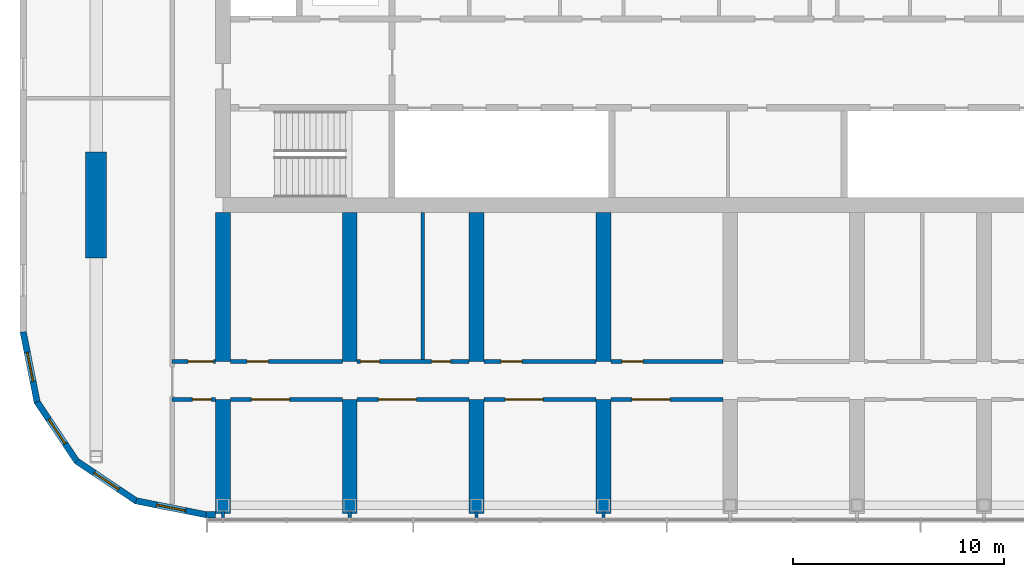
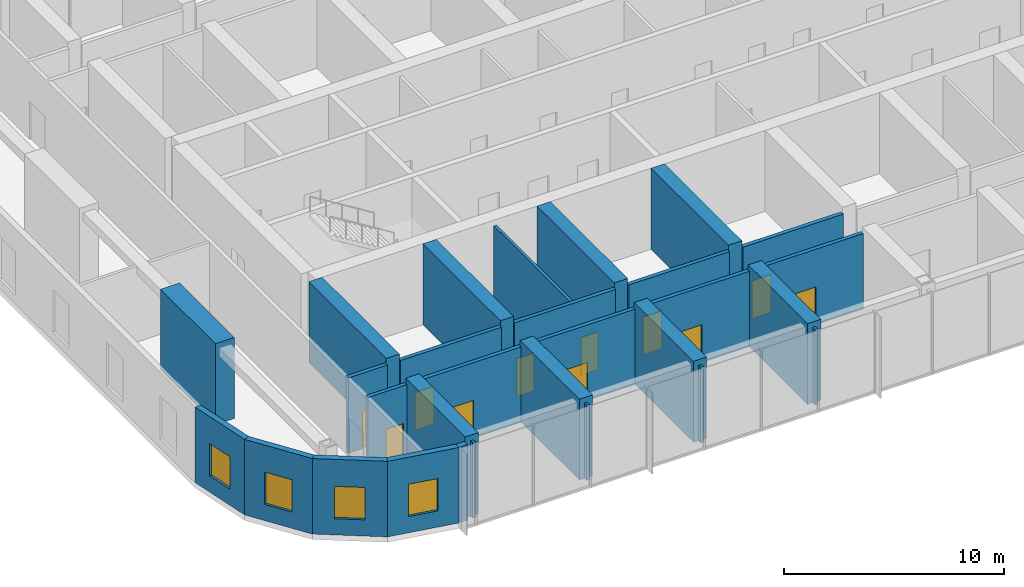
# One storey, part 10 of 21: 29 walls, 11 doors, 4 windows, 15 openings.
"""IFC4 building model written with IfcOpenShell, lengths in metres."""

from ifc_helpers import new_model, si_unit, direction, frame, frame_2d, origin, place, context, subcontext, project, spatial, polyline, rectangle, outline, extrude, material, layer, layer_set, type_object, element, fill, save


model = new_model("IFC4")

# Units and contexts
model_context = context("Model", 3, precision=1e-05, world=origin(), true_north=direction((0.0, 1.0)))
body_context = subcontext(model_context, "Body", "Model", "MODEL_VIEW")
ifc_project = project(units=[si_unit("LENGTHUNIT", "METRE"), si_unit("AREAUNIT", "SQUARE_METRE"), si_unit("VOLUMEUNIT", "CUBIC_METRE"), si_unit("PLANEANGLEUNIT", "RADIAN"), si_unit("MASSUNIT", "GRAM", prefix="KILO")], contexts=[model_context])

# Site, building, storey
site_placement = place(None, origin())
site = spatial("IfcSite", under=ifc_project, at=site_placement, CompositionType="ELEMENT")
building_placement = place(site_placement, origin())
building = spatial("IfcBuilding", under=site, at=building_placement, Name="Orbita Commons", CompositionType="ELEMENT")
storey_placement = place(building_placement, frame((0.0, 0.0, 257.800048828125)))
storey = spatial("IfcBuildingStorey", under=building, at=storey_placement, Name="L64", CompositionType="ELEMENT", Elevation=257.800048828125)

# Wall, opening, door
ifc_material_1 = material(Name="Concrete blockwork", Category="masonry")
ifc_layer_1 = layer(ifc_material_1, 0.199951171875)
ifc_layer_set_1 = layer_set([ifc_layer_1], Name="Concrete blockwork")
wall_type_1 = type_object("IfcWallType", Name="Corridor wall 200 blockwork", PredefinedType="SOLIDWALL", material=ifc_layer_set_1)
wall_1_placement = place(storey_placement, frame((15.60009765625, 16.60009765625, 0.0), z_axis=(0.0, 0.0, 1.0), x_axis=(1.0, 0.0, 0.0)))
wall_1 = element("IfcWall", 1, at=wall_1_placement, inside=storey, type_object=wall_type_1, Name="Corridor wall 200 blockwork L64", PredefinedType="SOLIDWALL", context=body_context, shape_type="SweptSolid", body=[
    extrude(rectangle(XDim=2.0498046875, YDim=0.199951171875, at=frame_2d((1.02490234375, 0.0))), origin(), (0.0, 0.0, 1.0), 4.199951171875),
])
opening_1_placement = place(wall_1_placement, frame((0.949951171875, 0.0, 0.0)))
opening_1 = element("IfcOpeningElement", 2, at=opening_1_placement, cuts=wall_1, Name="Opening D05", PredefinedType="OPENING", context=body_context, shape_type="SweptSolid", body=[
    extrude(rectangle(XDim=0.89990234375, YDim=2.10009765625, at=frame_2d((0.449951171875, 1.050048828125))), frame((0.0, 0.10986328125, 0.0), z_axis=(0.0, -1.0, 0.0), x_axis=(1.0, 0.0, 0.0)), (0.0, 0.0, 1.0), 0.219970703125),
])
ifc_material_2 = material(Name="Steel-faced fire door leaf", Category="steel")
door_type_1 = type_object("IfcDoorType", Name="Service door 20 min 900x2100", OperationType="SINGLE_SWING_LEFT", PredefinedType="DOOR", material=ifc_material_2)
door_1_placement = place(opening_1_placement, origin())
door_1 = element("IfcDoor", 3, at=door_1_placement, inside=storey, type_object=door_type_1, Name="Linen store L64-KWS door", OperationType="SINGLE_SWING_LEFT", OverallHeight=2.10009765625, OverallWidth=0.89990234375, PredefinedType="DOOR", context=body_context, shape_type="SweptSolid", body=[
    extrude(rectangle(XDim=0.89990234375, YDim=2.10009765625, at=frame_2d((0.449951171875, 1.050048828125))), frame((0.0, 0.02490234375, 0.0), z_axis=(0.0, -1.0, 0.0), x_axis=(1.0, 0.0, 0.0)), (0.0, 0.0, 1.0), 0.050048828125),
])
fill(opening_1, door_1)

wall_2_placement = place(storey_placement, frame((18.35009765625, 16.60009765625, 0.0), z_axis=(0.0, 0.0, 1.0), x_axis=(1.0, 0.0, 0.0)))
wall_2 = element("IfcWall", 4, at=wall_2_placement, inside=storey, type_object=wall_type_1, Name="Corridor wall 200 blockwork L64", PredefinedType="SOLIDWALL", context=body_context, shape_type="SweptSolid", body=[
    extrude(rectangle(XDim=5.2998046875, YDim=0.199951171875, at=frame_2d((2.64990234375, 0.0))), origin(), (0.0, 0.0, 1.0), 4.199951171875),
])
opening_2_placement = place(wall_2_placement, frame((1.0, 0.0, 0.0)))
opening_2 = element("IfcOpeningElement", 5, at=opening_2_placement, cuts=wall_2, Name="Opening D07", PredefinedType="OPENING", context=body_context, shape_type="SweptSolid", body=[
    extrude(rectangle(XDim=1.800048828125, YDim=2.10009765625, at=frame_2d((0.89990234375, 1.050048828125))), frame((0.0, 0.10986328125, 0.0), z_axis=(0.0, -1.0, 0.0), x_axis=(1.0, 0.0, 0.0)), (0.0, 0.0, 1.0), 0.219970703125),
])
ifc_material_3 = material(Name="Steel-faced fire door leaf", Category="steel")
door_type_2 = type_object("IfcDoorType", Name="Double corridor door 20 min 1800x2100", OperationType="DOUBLE_DOOR_SINGLE_SWING", PredefinedType="DOOR", material=ifc_material_3)
door_2_placement = place(opening_2_placement, origin())
door_2 = element("IfcDoor", 6, at=door_2_placement, inside=storey, type_object=door_type_2, Name="Group study room L64-SF1 doors", OperationType="DOUBLE_DOOR_SINGLE_SWING", OverallHeight=2.10009765625, OverallWidth=1.800048828125, PredefinedType="DOOR", context=body_context, shape_type="SweptSolid", body=[
    extrude(rectangle(XDim=1.800048828125, YDim=2.10009765625, at=frame_2d((0.89990234375, 1.050048828125))), frame((0.0, 0.02490234375, 0.0), z_axis=(0.0, -1.0, 0.0), x_axis=(1.0, 0.0, 0.0)), (0.0, 0.0, 1.0), 0.050048828125),
])
fill(opening_2, door_2)

wall_3_placement = place(storey_placement, frame((24.35009765625, 16.60009765625, 0.0), z_axis=(0.0, 0.0, 1.0), x_axis=(1.0, 0.0, 0.0)))
wall_3 = element("IfcWall", 7, at=wall_3_placement, inside=storey, type_object=wall_type_1, Name="Corridor wall 200 blockwork L64", PredefinedType="SOLIDWALL", context=body_context, shape_type="SweptSolid", body=[
    extrude(rectangle(XDim=5.2998046875, YDim=0.199951171875, at=frame_2d((2.64990234375, 0.0))), origin(), (0.0, 0.0, 1.0), 4.199951171875),
])
opening_3_placement = place(wall_3_placement, frame((1.0, 0.0, 0.0)))
opening_3 = element("IfcOpeningElement", 8, at=opening_3_placement, cuts=wall_3, Name="Opening D07", PredefinedType="OPENING", context=body_context, shape_type="SweptSolid", body=[
    extrude(rectangle(XDim=1.800048828125, YDim=2.10009765625, at=frame_2d((0.89990234375, 1.050048828125))), frame((0.0, 0.10986328125, 0.0), z_axis=(0.0, -1.0, 0.0), x_axis=(1.0, 0.0, 0.0)), (0.0, 0.0, 1.0), 0.219970703125),
])
door_3_placement = place(opening_3_placement, origin())
door_3 = element("IfcDoor", 9, at=door_3_placement, inside=storey, type_object=door_type_2, Name="Reading room L64-SF2 doors", OperationType="DOUBLE_DOOR_SINGLE_SWING", OverallHeight=2.10009765625, OverallWidth=1.800048828125, PredefinedType="DOOR", context=body_context, shape_type="SweptSolid", body=[
    extrude(rectangle(XDim=1.800048828125, YDim=2.10009765625, at=frame_2d((0.89990234375, 1.050048828125))), frame((0.0, 0.02490234375, 0.0), z_axis=(0.0, -1.0, 0.0), x_axis=(1.0, 0.0, 0.0)), (0.0, 0.0, 1.0), 0.050048828125),
])
fill(opening_3, door_3)

wall_4_placement = place(storey_placement, frame((30.35009765625, 16.60009765625, 0.0), z_axis=(0.0, 0.0, 1.0), x_axis=(1.0, 0.0, 0.0)))
wall_4 = element("IfcWall", 10, at=wall_4_placement, inside=storey, type_object=wall_type_1, Name="Corridor wall 200 blockwork L64", PredefinedType="SOLIDWALL", context=body_context, shape_type="SweptSolid", body=[
    extrude(rectangle(XDim=5.2998046875, YDim=0.199951171875, at=frame_2d((2.64990234375, 0.0))), origin(), (0.0, 0.0, 1.0), 4.199951171875),
])
opening_4_placement = place(wall_4_placement, frame((1.0, 0.0, 0.0)))
opening_4 = element("IfcOpeningElement", 11, at=opening_4_placement, cuts=wall_4, Name="Opening D07", PredefinedType="OPENING", context=body_context, shape_type="SweptSolid", body=[
    extrude(rectangle(XDim=1.800048828125, YDim=2.10009765625, at=frame_2d((0.89990234375, 1.050048828125))), frame((0.0, 0.10986328125, 0.0), z_axis=(0.0, -1.0, 0.0), x_axis=(1.0, 0.0, 0.0)), (0.0, 0.0, 1.0), 0.219970703125),
])
door_4_placement = place(opening_4_placement, origin())
door_4 = element("IfcDoor", 12, at=door_4_placement, inside=storey, type_object=door_type_2, Name="Seminar room L64-SF3 doors", OperationType="DOUBLE_DOOR_SINGLE_SWING", OverallHeight=2.10009765625, OverallWidth=1.800048828125, PredefinedType="DOOR", context=body_context, shape_type="SweptSolid", body=[
    extrude(rectangle(XDim=1.800048828125, YDim=2.10009765625, at=frame_2d((0.89990234375, 1.050048828125))), frame((0.0, 0.02490234375, 0.0), z_axis=(0.0, -1.0, 0.0), x_axis=(1.0, 0.0, 0.0)), (0.0, 0.0, 1.0), 0.050048828125),
])
fill(opening_4, door_4)

wall_5_placement = place(storey_placement, frame((36.35009765625, 16.60009765625, 0.0), z_axis=(0.0, 0.0, 1.0), x_axis=(1.0, 0.0, 0.0)))
wall_5 = element("IfcWall", 13, at=wall_5_placement, inside=storey, type_object=wall_type_1, Name="Corridor wall 200 blockwork L64", PredefinedType="SOLIDWALL", context=body_context, shape_type="SweptSolid", body=[
    extrude(rectangle(XDim=5.2998046875, YDim=0.199951171875, at=frame_2d((2.64990234375, 0.0))), origin(), (0.0, 0.0, 1.0), 4.199951171875),
])
opening_5_placement = place(wall_5_placement, frame((1.0, 0.0, 0.0)))
opening_5 = element("IfcOpeningElement", 14, at=opening_5_placement, cuts=wall_5, Name="Opening D07", PredefinedType="OPENING", context=body_context, shape_type="SweptSolid", body=[
    extrude(rectangle(XDim=1.800048828125, YDim=2.10009765625, at=frame_2d((0.89990234375, 1.050048828125))), frame((0.0, 0.10986328125, 0.0), z_axis=(0.0, -1.0, 0.0), x_axis=(1.0, 0.0, 0.0)), (0.0, 0.0, 1.0), 0.219970703125),
])
door_5_placement = place(opening_5_placement, origin())
door_5 = element("IfcDoor", 15, at=door_5_placement, inside=storey, type_object=door_type_2, Name="Library L64-SF4 doors", OperationType="DOUBLE_DOOR_SINGLE_SWING", OverallHeight=2.10009765625, OverallWidth=1.800048828125, PredefinedType="DOOR", context=body_context, shape_type="SweptSolid", body=[
    extrude(rectangle(XDim=1.800048828125, YDim=2.10009765625, at=frame_2d((0.89990234375, 1.050048828125))), frame((0.0, 0.02490234375, 0.0), z_axis=(0.0, -1.0, 0.0), x_axis=(1.0, 0.0, 0.0)), (0.0, 0.0, 1.0), 0.050048828125),
])
fill(opening_5, door_5)

ifc_material_4 = material(Name="Hollow concrete block 200", Category="concrete")
ifc_layer_2 = layer(ifc_material_4, 0.199951171875)
ifc_layer_set_2 = layer_set([ifc_layer_2], Name="Hollow concrete block 200")
wall_type_2 = type_object("IfcWallType", Name="Corridor wall 200 hollow concrete block", PredefinedType="SOLIDWALL", material=ifc_layer_set_2)
wall_6_placement = place(storey_placement, frame((15.60009765625, 18.39990234375, 0.0), z_axis=(0.0, 0.0, 1.0), x_axis=(1.0, 0.0, 0.0)))
wall_6 = element("IfcWall", 16, at=wall_6_placement, inside=storey, type_object=wall_type_2, Name="Corridor wall 200 hollow concrete block L64", PredefinedType="SOLIDWALL", context=body_context, shape_type="SweptSolid", body=[
    extrude(rectangle(XDim=2.0498046875, YDim=0.199951171875, at=frame_2d((1.02490234375, 0.0))), origin(), (0.0, 0.0, 1.0), 4.199951171875),
])
opening_6_placement = place(wall_6_placement, frame((0.75, 0.0, 0.0)))
opening_6 = element("IfcOpeningElement", 17, at=opening_6_placement, cuts=wall_6, Name="Opening D12", PredefinedType="OPENING", context=body_context, shape_type="SweptSolid", body=[
    extrude(rectangle(XDim=1.199951171875, YDim=2.10009765625, at=frame_2d((0.60009765625, 1.050048828125))), frame((0.0, 0.10986328125, 0.0), z_axis=(0.0, -1.0, 0.0), x_axis=(1.0, 0.0, 0.0)), (0.0, 0.0, 1.0), 0.219970703125),
])
ifc_material_5 = material(Name="Steel-faced fire door leaf", Category="steel")
door_type_3 = type_object("IfcDoorType", Name="Double corridor door 20 min 1200x2100", OperationType="DOUBLE_DOOR_SINGLE_SWING", PredefinedType="DOOR", material=ifc_material_5)
door_6_placement = place(opening_6_placement, origin())
door_6 = element("IfcDoor", 18, at=door_6_placement, inside=storey, type_object=door_type_3, Name="Cross corridor doors", OperationType="DOUBLE_DOOR_SINGLE_SWING", OverallHeight=2.10009765625, OverallWidth=1.199951171875, PredefinedType="DOOR", context=body_context, shape_type="SweptSolid", body=[
    extrude(rectangle(XDim=1.199951171875, YDim=2.10009765625, at=frame_2d((0.60009765625, 1.050048828125))), frame((0.0, 0.02490234375, 0.0), z_axis=(0.0, -1.0, 0.0), x_axis=(1.0, 0.0, 0.0)), (0.0, 0.0, 1.0), 0.050048828125),
])
fill(opening_6, door_6)

wall_7_placement = place(storey_placement, frame((18.35009765625, 18.39990234375, 0.0), z_axis=(0.0, 0.0, 1.0), x_axis=(1.0, 0.0, 0.0)))
wall_7 = element("IfcWall", 19, at=wall_7_placement, inside=storey, type_object=wall_type_2, Name="Corridor wall 200 hollow concrete block L64", PredefinedType="SOLIDWALL", context=body_context, shape_type="SweptSolid", body=[
    extrude(rectangle(XDim=5.2998046875, YDim=0.199951171875, at=frame_2d((2.64990234375, 0.0))), origin(), (0.0, 0.0, 1.0), 4.199951171875),
])
opening_7_placement = place(wall_7_placement, frame((0.800048828125, 0.0, 0.0)))
opening_7 = element("IfcOpeningElement", 20, at=opening_7_placement, cuts=wall_7, Name="Opening D06", PredefinedType="OPENING", context=body_context, shape_type="SweptSolid", body=[
    extrude(rectangle(XDim=1.0, YDim=2.10009765625, at=frame_2d((0.5, 1.050048828125))), frame((0.0, 0.10986328125, 0.0), z_axis=(0.0, -1.0, 0.0), x_axis=(1.0, 0.0, 0.0)), (0.0, 0.0, 1.0), 0.219970703125),
])
ifc_material_6 = material(Name="Steel-faced fire door leaf", Category="steel")
door_type_4 = type_object("IfcDoorType", Name="Corridor door 20 min 1000x2100", OperationType="SINGLE_SWING_LEFT", PredefinedType="DOOR", material=ifc_material_6)
door_7_placement = place(opening_7_placement, origin())
door_7 = element("IfcDoor", 21, at=door_7_placement, inside=storey, type_object=door_type_4, Name="Pantry L64-BDS18 door", OperationType="SINGLE_SWING_LEFT", OverallHeight=2.10009765625, OverallWidth=1.0, PredefinedType="DOOR", context=body_context, shape_type="SweptSolid", body=[
    extrude(rectangle(XDim=1.0, YDim=2.10009765625, at=frame_2d((0.5, 1.050048828125))), frame((0.0, 0.02490234375, 0.0), z_axis=(0.0, -1.0, 0.0), x_axis=(1.0, 0.0, 0.0)), (0.0, 0.0, 1.0), 0.050048828125),
])
fill(opening_7, door_7)

# Wall, openings, doors
wall_8_placement = place(storey_placement, frame((24.35009765625, 18.39990234375, 0.0), z_axis=(0.0, 0.0, 1.0), x_axis=(1.0, 0.0, 0.0)))
wall_8 = element("IfcWall", 22, at=wall_8_placement, inside=storey, type_object=wall_type_2, Name="Corridor wall 200 hollow concrete block L64", PredefinedType="SOLIDWALL", context=body_context, shape_type="SweptSolid", body=[
    extrude(rectangle(XDim=5.2998046875, YDim=0.199951171875, at=frame_2d((2.64990234375, 0.0))), origin(), (0.0, 0.0, 1.0), 4.199951171875),
])
opening_8_placement = place(wall_8_placement, frame((0.14990234375, 0.0, 0.0)))
opening_8 = element("IfcOpeningElement", 23, at=opening_8_placement, cuts=wall_8, Name="Opening D11", PredefinedType="OPENING", context=body_context, shape_type="SweptSolid", body=[
    extrude(rectangle(XDim=0.89990234375, YDim=2.10009765625, at=frame_2d((0.449951171875, 1.050048828125))), frame((0.0, 0.10986328125, 0.0), z_axis=(0.0, -1.0, 0.0), x_axis=(1.0, 0.0, 0.0)), (0.0, 0.0, 1.0), 0.219970703125),
])
opening_9_placement = place(wall_8_placement, frame((3.52490234375, 0.0, 0.0)))
opening_9 = element("IfcOpeningElement", 24, at=opening_9_placement, cuts=wall_8, Name="Opening D11", PredefinedType="OPENING", context=body_context, shape_type="SweptSolid", body=[
    extrude(rectangle(XDim=0.89990234375, YDim=2.10009765625, at=frame_2d((0.449951171875, 1.050048828125))), frame((0.0, 0.10986328125, 0.0), z_axis=(0.0, -1.0, 0.0), x_axis=(1.0, 0.0, 0.0)), (0.0, 0.0, 1.0), 0.219970703125),
])
ifc_material_7 = material(Name="Steel-faced fire door leaf", Category="steel")
door_type_5 = type_object("IfcDoorType", Name="Corridor door 20 min 900x2100", OperationType="SINGLE_SWING_LEFT", PredefinedType="DOOR", material=ifc_material_7)
door_8_placement = place(opening_8_placement, origin())
door_8 = element("IfcDoor", 25, at=door_8_placement, inside=storey, type_object=door_type_5, Name="Media room L64-BDS24 door", OperationType="SINGLE_SWING_LEFT", OverallHeight=2.10009765625, OverallWidth=0.89990234375, PredefinedType="DOOR", context=body_context, shape_type="SweptSolid", body=[
    extrude(rectangle(XDim=0.89990234375, YDim=2.10009765625, at=frame_2d((0.449951171875, 1.050048828125))), frame((0.0, 0.02490234375, 0.0), z_axis=(0.0, -1.0, 0.0), x_axis=(1.0, 0.0, 0.0)), (0.0, 0.0, 1.0), 0.050048828125),
])
fill(opening_8, door_8)
door_9_placement = place(opening_9_placement, origin())
door_9 = element("IfcDoor", 26, at=door_9_placement, inside=storey, type_object=door_type_5, Name="Accessible WC and shower room L64-BDS24n door", OperationType="SINGLE_SWING_LEFT", OverallHeight=2.10009765625, OverallWidth=0.89990234375, PredefinedType="DOOR", context=body_context, shape_type="SweptSolid", body=[
    extrude(rectangle(XDim=0.89990234375, YDim=2.10009765625, at=frame_2d((0.449951171875, 1.050048828125))), frame((0.0, 0.02490234375, 0.0), z_axis=(0.0, -1.0, 0.0), x_axis=(1.0, 0.0, 0.0)), (0.0, 0.0, 1.0), 0.050048828125),
])
fill(opening_9, door_9)

# Wall, opening, door
wall_9_placement = place(storey_placement, frame((30.35009765625, 18.39990234375, 0.0), z_axis=(0.0, 0.0, 1.0), x_axis=(1.0, 0.0, 0.0)))
wall_9 = element("IfcWall", 27, at=wall_9_placement, inside=storey, type_object=wall_type_2, Name="Corridor wall 200 hollow concrete block L64", PredefinedType="SOLIDWALL", context=body_context, shape_type="SweptSolid", body=[
    extrude(rectangle(XDim=5.2998046875, YDim=0.199951171875, at=frame_2d((2.64990234375, 0.0))), origin(), (0.0, 0.0, 1.0), 4.199951171875),
])
opening_10_placement = place(wall_9_placement, frame((0.800048828125, 0.0, 0.0)))
opening_10 = element("IfcOpeningElement", 28, at=opening_10_placement, cuts=wall_9, Name="Opening D06", PredefinedType="OPENING", context=body_context, shape_type="SweptSolid", body=[
    extrude(rectangle(XDim=1.0, YDim=2.10009765625, at=frame_2d((0.5, 1.050048828125))), frame((0.0, 0.10986328125, 0.0), z_axis=(0.0, -1.0, 0.0), x_axis=(1.0, 0.0, 0.0)), (0.0, 0.0, 1.0), 0.219970703125),
])
door_10_placement = place(opening_10_placement, origin())
door_10 = element("IfcDoor", 29, at=door_10_placement, inside=storey, type_object=door_type_4, Name="Print and copy room L64-BDS30 door", OperationType="SINGLE_SWING_LEFT", OverallHeight=2.10009765625, OverallWidth=1.0, PredefinedType="DOOR", context=body_context, shape_type="SweptSolid", body=[
    extrude(rectangle(XDim=1.0, YDim=2.10009765625, at=frame_2d((0.5, 1.050048828125))), frame((0.0, 0.02490234375, 0.0), z_axis=(0.0, -1.0, 0.0), x_axis=(1.0, 0.0, 0.0)), (0.0, 0.0, 1.0), 0.050048828125),
])
fill(opening_10, door_10)

wall_10_placement = place(storey_placement, frame((36.35009765625, 18.39990234375, 0.0), z_axis=(0.0, 0.0, 1.0), x_axis=(1.0, 0.0, 0.0)))
wall_10 = element("IfcWall", 30, at=wall_10_placement, inside=storey, type_object=wall_type_2, Name="Corridor wall 200 hollow concrete block L64", PredefinedType="SOLIDWALL", context=body_context, shape_type="SweptSolid", body=[
    extrude(rectangle(XDim=5.2998046875, YDim=0.199951171875, at=frame_2d((2.64990234375, 0.0))), origin(), (0.0, 0.0, 1.0), 4.199951171875),
])
opening_11_placement = place(wall_10_placement, frame((0.52490234375, 0.0, 0.0)))
opening_11 = element("IfcOpeningElement", 31, at=opening_11_placement, cuts=wall_10, Name="Opening D06", PredefinedType="OPENING", context=body_context, shape_type="SweptSolid", body=[
    extrude(rectangle(XDim=1.0, YDim=2.10009765625, at=frame_2d((0.5, 1.050048828125))), frame((0.0, 0.10986328125, 0.0), z_axis=(0.0, -1.0, 0.0), x_axis=(1.0, 0.0, 0.0)), (0.0, 0.0, 1.0), 0.219970703125),
])
door_11_placement = place(opening_11_placement, origin())
door_11 = element("IfcDoor", 32, at=door_11_placement, inside=storey, type_object=door_type_4, Name="Ventilation plant room L64-BDS36 door", OperationType="SINGLE_SWING_LEFT", OverallHeight=2.10009765625, OverallWidth=1.0, PredefinedType="DOOR", context=body_context, shape_type="SweptSolid", body=[
    extrude(rectangle(XDim=1.0, YDim=2.10009765625, at=frame_2d((0.5, 1.050048828125))), frame((0.0, 0.02490234375, 0.0), z_axis=(0.0, -1.0, 0.0), x_axis=(1.0, 0.0, 0.0)), (0.0, 0.0, 1.0), 0.050048828125),
])
fill(opening_11, door_11)

# Walls
ifc_material_8 = material(Name="Concrete C50/60", Category="concrete")
ifc_layer_3 = layer(ifc_material_8, 0.699951171875)
ifc_layer_set_3 = layer_set([ifc_layer_3], Name="Concrete C50/60")
wall_type_3 = type_object("IfcWallType", Name="Cross wall 700 C50/60", PredefinedType="SHEAR", material=ifc_layer_set_3)
wall_11_placement = place(storey_placement, frame((18.0, 11.199951171875, 0.0), z_axis=(0.0, 0.0, 1.0), x_axis=(0.0, 1.0, 0.0)))
element("IfcWall", 33, at=wall_11_placement, inside=storey, type_object=wall_type_3, Name="Cross wall 4 south outer L64", PredefinedType="SHEAR", context=body_context, shape_type="SweptSolid", body=[
    extrude(rectangle(XDim=5.400146484375, YDim=0.699951171875, at=frame_2d((2.7001953125, 0.0))), origin(), (0.0, 0.0, 1.0), 4.5),
])
wall_12_placement = place(storey_placement, frame((18.0, 18.39990234375, 0.0), z_axis=(0.0, 0.0, 1.0), x_axis=(0.0, 1.0, 0.0)))
element("IfcWall", 34, at=wall_12_placement, inside=storey, type_object=wall_type_3, Name="Cross wall 4 south inner L64", PredefinedType="SHEAR", context=body_context, shape_type="SweptSolid", body=[
    extrude(rectangle(XDim=7.050048828125, YDim=0.699951171875, at=frame_2d((3.52490234375, 0.0))), origin(), (0.0, 0.0, 1.0), 4.5),
])
wall_13_placement = place(storey_placement, frame((24.0, 11.199951171875, 0.0), z_axis=(0.0, 0.0, 1.0), x_axis=(0.0, 1.0, 0.0)))
element("IfcWall", 35, at=wall_13_placement, inside=storey, type_object=wall_type_3, Name="Cross wall 5 south outer L64", PredefinedType="SHEAR", context=body_context, shape_type="SweptSolid", body=[
    extrude(rectangle(XDim=5.400146484375, YDim=0.699951171875, at=frame_2d((2.7001953125, 0.0))), origin(), (0.0, 0.0, 1.0), 4.5),
])
wall_14_placement = place(storey_placement, frame((24.0, 18.39990234375, 0.0), z_axis=(0.0, 0.0, 1.0), x_axis=(0.0, 1.0, 0.0)))
element("IfcWall", 36, at=wall_14_placement, inside=storey, type_object=wall_type_3, Name="Cross wall 5 south inner L64", PredefinedType="SHEAR", context=body_context, shape_type="SweptSolid", body=[
    extrude(rectangle(XDim=7.050048828125, YDim=0.699951171875, at=frame_2d((3.52490234375, 0.0))), origin(), (0.0, 0.0, 1.0), 4.5),
])
wall_15_placement = place(storey_placement, frame((30.0, 11.199951171875, 0.0), z_axis=(0.0, 0.0, 1.0), x_axis=(0.0, 1.0, 0.0)))
element("IfcWall", 37, at=wall_15_placement, inside=storey, type_object=wall_type_3, Name="Cross wall 6 south outer L64", PredefinedType="SHEAR", context=body_context, shape_type="SweptSolid", body=[
    extrude(rectangle(XDim=5.400146484375, YDim=0.699951171875, at=frame_2d((2.7001953125, 0.0))), origin(), (0.0, 0.0, 1.0), 4.5),
])
wall_16_placement = place(storey_placement, frame((30.0, 18.39990234375, 0.0), z_axis=(0.0, 0.0, 1.0), x_axis=(0.0, 1.0, 0.0)))
element("IfcWall", 38, at=wall_16_placement, inside=storey, type_object=wall_type_3, Name="Cross wall 6 south inner L64", PredefinedType="SHEAR", context=body_context, shape_type="SweptSolid", body=[
    extrude(rectangle(XDim=7.050048828125, YDim=0.699951171875, at=frame_2d((3.52490234375, 0.0))), origin(), (0.0, 0.0, 1.0), 4.5),
])
wall_17_placement = place(storey_placement, frame((36.0, 11.199951171875, 0.0), z_axis=(0.0, 0.0, 1.0), x_axis=(0.0, 1.0, 0.0)))
element("IfcWall", 39, at=wall_17_placement, inside=storey, type_object=wall_type_3, Name="Cross wall 7 south outer L64", PredefinedType="SHEAR", context=body_context, shape_type="SweptSolid", body=[
    extrude(rectangle(XDim=5.400146484375, YDim=0.699951171875, at=frame_2d((2.7001953125, 0.0))), origin(), (0.0, 0.0, 1.0), 4.5),
])
wall_18_placement = place(storey_placement, frame((36.0, 18.39990234375, 0.0), z_axis=(0.0, 0.0, 1.0), x_axis=(0.0, 1.0, 0.0)))
element("IfcWall", 40, at=wall_18_placement, inside=storey, type_object=wall_type_3, Name="Cross wall 7 south inner L64", PredefinedType="SHEAR", context=body_context, shape_type="SweptSolid", body=[
    extrude(rectangle(XDim=7.050048828125, YDim=0.699951171875, at=frame_2d((3.52490234375, 0.0))), origin(), (0.0, 0.0, 1.0), 4.5),
])
ifc_material_9 = material(Name="Concrete C50/60", Category="concrete")
ifc_layer_4 = layer(ifc_material_9, 1.0)
ifc_layer_set_4 = layer_set([ifc_layer_4], Name="Concrete C50/60")
wall_type_4 = type_object("IfcWallType", Name="End pier 1000x5000 C50/60", PredefinedType="SHEAR", material=ifc_layer_set_4)
wall_19_placement = place(storey_placement, frame((12.0, 23.300048828125, 0.0), z_axis=(0.0, 0.0, 1.0), x_axis=(0.0, 1.0, 0.0)))
element("IfcWall", 41, at=wall_19_placement, inside=storey, type_object=wall_type_4, Name="End pier 3/C L64", PredefinedType="SHEAR", context=body_context, shape_type="SweptSolid", body=[
    extrude(rectangle(XDim=5.0, YDim=1.0, at=frame_2d((2.5, 0.0))), origin(), (0.0, 0.0, 1.0), 4.5),
])
ifc_material_10 = material(Name="Gypsum plasterboard on steel studs", Category="steel")
ifc_layer_5 = layer(ifc_material_10, 0.14990234375)
ifc_layer_set_5 = layer_set([ifc_layer_5], Name="Gypsum plasterboard on steel studs")
wall_type_5 = type_object("IfcWallType", Name="Partition 150 plasterboard", PredefinedType="PARTITIONING", material=ifc_layer_set_5)
wall_20_placement = place(storey_placement, frame((27.449951171875, 18.5, 0.0), z_axis=(0.0, 0.0, 1.0), x_axis=(0.0, 1.0, 0.0)))
element("IfcWall", 42, at=wall_20_placement, inside=storey, type_object=wall_type_5, Name="Partition 150 plasterboard L64", PredefinedType="PARTITIONING", context=body_context, shape_type="SweptSolid", body=[
    extrude(rectangle(XDim=6.949951171875, YDim=0.14990234375, at=frame_2d((3.47509765625, 0.0))), origin(), (0.0, 0.0, 1.0), 4.199951171875),
])
for number, where, z_axis, x_axis, name in (
    (43, (18.0, 11.300048828125, 0.0), (0.0, 0.0, 1.0), (0.0, -1.0, 0.0), "Partition 150 plasterboard L64"),
    (44, (24.0, 11.300048828125, 0.0), (0.0, 0.0, 1.0), (0.0, -1.0, 0.0), "Partition 150 plasterboard L64"),
    (45, (30.0, 11.300048828125, 0.0), (0.0, 0.0, 1.0), (0.0, -1.0, 0.0), "Partition 150 plasterboard L64"),
    (46, (36.0, 11.300048828125, 0.0), (0.0, 0.0, 1.0), (0.0, -1.0, 0.0), "Partition 150 plasterboard L64"),
):
    element("IfcWall", number, at=place(storey_placement, frame(where, z_axis=z_axis, x_axis=x_axis)), inside=storey, type_object=wall_type_5, Name=name, PredefinedType="PARTITIONING", context=body_context, shape_type="SweptSolid", body=[
        extrude(rectangle(XDim=0.2900390625, YDim=0.14990234375, at=frame_2d((0.14501953125, 0.0))), origin(), (0.0, 0.0, 1.0), 4.199951171875),
    ])

# Wall, opening, window
ifc_material_11 = material(Name="Precast concrete C40/50, white board-marked finish", Category="concrete")
ifc_layer_6 = layer(ifc_material_11, 0.300048828125)
ifc_layer_set_6 = layer_set([ifc_layer_6], Name="Precast concrete C40/50, white board-marked finish")
wall_type_6 = type_object("IfcWallType", Name="Precast concrete end shield 300", PredefinedType="SOLIDWALL", material=ifc_layer_set_6)
wall_21_placement = place(storey_placement, frame((8.550048828125, 19.800048828125, 0.0), z_axis=(0.0, 0.0, 1.0), x_axis=(0.19508664885, -0.980786011034, 0.0)))
wall_21 = element("IfcWall", 47, at=wall_21_placement, inside=storey, type_object=wall_type_6, Name="End shield SW chord 1 L64", PredefinedType="SOLIDWALL", context=body_context, shape_type="SweptSolid", body=[
    extrude(outline(polyline([(-0.014892578125, -0.14990234375), (3.405029296875, -0.14990234375), (3.345458984375, 0.14990234375), (0.014892578125, 0.14990234375), (-0.014892578125, -0.14990234375)])), origin(), (0.0, 0.0, 1.0), 4.199951171875),
])
opening_12_placement = place(wall_21_placement, frame((0.987548828125, 0.0, 0.89990234375)))
opening_12 = element("IfcOpeningElement", 48, at=opening_12_placement, cuts=wall_21, Name="Opening W02", PredefinedType="OPENING", context=body_context, shape_type="SweptSolid", body=[
    extrude(rectangle(XDim=1.39990234375, YDim=1.800048828125, at=frame_2d((0.699951171875, 0.89990234375))), frame((0.0, 0.159912109375, 0.0), z_axis=(0.0, -1.0, 0.0), x_axis=(1.0, 0.0, 0.0)), (0.0, 0.0, 1.0), 0.320068359375),
])
ifc_material_12 = material(Name="Aluminium frame, clear double glazing", Category="aluminium")
window_type = type_object("IfcWindowType", Name="Deep-set window 1400x1800", PartitioningType="SINGLE_PANEL", PredefinedType="WINDOW", material=ifc_material_12)
window_1_placement = place(opening_12_placement, origin())
window_1 = element("IfcWindow", 49, at=window_1_placement, inside=storey, type_object=window_type, Name="Window L64-SW0", OverallHeight=1.800048828125, OverallWidth=1.39990234375, PartitioningType="SINGLE_PANEL", PredefinedType="WINDOW", context=body_context, shape_type="SweptSolid", body=[
    extrude(rectangle(XDim=1.39990234375, YDim=1.800048828125, at=frame_2d((0.699951171875, 0.89990234375))), frame((0.0, 0.030029296875, 0.0), z_axis=(0.0, -1.0, 0.0), x_axis=(1.0, 0.0, 0.0)), (0.0, 0.0, 1.0), 0.06005859375),
])
fill(opening_12, window_1)

wall_22_placement = place(storey_placement, frame((9.20849609375, 16.48974609375, 0.0), z_axis=(0.0, 0.0, 1.0), x_axis=(0.555567969291, -0.831471124873, 0.0)))
wall_22 = element("IfcWall", 50, at=wall_22_placement, inside=storey, type_object=wall_type_6, Name="End shield SW chord 2 L64", PredefinedType="SOLIDWALL", context=body_context, shape_type="SweptSolid", body=[
    extrude(outline(polyline([(-0.02978515625, -0.14990234375), (3.40478515625, -0.14990234375), (3.34521484375, 0.14990234375), (0.02978515625, 0.14990234375), (-0.02978515625, -0.14990234375)])), origin(), (0.0, 0.0, 1.0), 4.199951171875),
])
opening_13_placement = place(wall_22_placement, frame((0.987548828125, 0.0, 0.89990234375)))
opening_13 = element("IfcOpeningElement", 51, at=opening_13_placement, cuts=wall_22, Name="Opening W02", PredefinedType="OPENING", context=body_context, shape_type="SweptSolid", body=[
    extrude(rectangle(XDim=1.39990234375, YDim=1.800048828125, at=frame_2d((0.699951171875, 0.89990234375))), frame((0.0, 0.159912109375, 0.0), z_axis=(0.0, -1.0, 0.0), x_axis=(1.0, 0.0, 0.0)), (0.0, 0.0, 1.0), 0.320068359375),
])
window_2_placement = place(opening_13_placement, origin())
window_2 = element("IfcWindow", 52, at=window_2_placement, inside=storey, type_object=window_type, Name="Window L64-SW1", OverallHeight=1.800048828125, OverallWidth=1.39990234375, PartitioningType="SINGLE_PANEL", PredefinedType="WINDOW", context=body_context, shape_type="SweptSolid", body=[
    extrude(rectangle(XDim=1.39990234375, YDim=1.800048828125, at=frame_2d((0.699951171875, 0.89990234375))), frame((0.0, 0.030029296875, 0.0), z_axis=(0.0, -1.0, 0.0), x_axis=(1.0, 0.0, 0.0)), (0.0, 0.0, 1.0), 0.06005859375),
])
fill(opening_13, window_2)

wall_23_placement = place(storey_placement, frame((11.08349609375, 13.68359375, 0.0), z_axis=(0.0, 0.0, 1.0), x_axis=(0.831460037396, -0.555584562613, 0.0)))
wall_23 = element("IfcWall", 53, at=wall_23_placement, inside=storey, type_object=wall_type_6, Name="End shield SW chord 3 L64", PredefinedType="SOLIDWALL", context=body_context, shape_type="SweptSolid", body=[
    extrude(outline(polyline([(-0.02978515625, -0.14990234375), (3.405029296875, -0.14990234375), (3.345458984375, 0.14990234375), (0.02978515625, 0.14990234375), (-0.02978515625, -0.14990234375)])), origin(), (0.0, 0.0, 1.0), 4.199951171875),
])
opening_14_placement = place(wall_23_placement, frame((0.987548828125, 0.0, 0.89990234375)))
opening_14 = element("IfcOpeningElement", 54, at=opening_14_placement, cuts=wall_23, Name="Opening W02", PredefinedType="OPENING", context=body_context, shape_type="SweptSolid", body=[
    extrude(rectangle(XDim=1.39990234375, YDim=1.800048828125, at=frame_2d((0.699951171875, 0.89990234375))), frame((0.0, 0.159912109375, 0.0), z_axis=(0.0, -1.0, 0.0), x_axis=(1.0, 0.0, 0.0)), (0.0, 0.0, 1.0), 0.320068359375),
])
window_3_placement = place(opening_14_placement, origin())
window_3 = element("IfcWindow", 55, at=window_3_placement, inside=storey, type_object=window_type, Name="Window L64-SW2", OverallHeight=1.800048828125, OverallWidth=1.39990234375, PartitioningType="SINGLE_PANEL", PredefinedType="WINDOW", context=body_context, shape_type="SweptSolid", body=[
    extrude(rectangle(XDim=1.39990234375, YDim=1.800048828125, at=frame_2d((0.699951171875, 0.89990234375))), frame((0.0, 0.030029296875, 0.0), z_axis=(0.0, -1.0, 0.0), x_axis=(1.0, 0.0, 0.0)), (0.0, 0.0, 1.0), 0.06005859375),
])
fill(opening_14, window_3)

wall_24_placement = place(storey_placement, frame((13.889892578125, 11.808349609375, 0.0), z_axis=(0.0, 0.0, 1.0), x_axis=(0.98078325777, -0.195100490205, 0.0)))
wall_24 = element("IfcWall", 56, at=wall_24_placement, inside=storey, type_object=wall_type_6, Name="End shield SW chord 4 L64", PredefinedType="SOLIDWALL", context=body_context, shape_type="SweptSolid", body=[
    extrude(outline(polyline([(-0.02978515625, -0.14990234375), (3.40478515625, -0.14990234375), (3.34521484375, 0.14990234375), (0.02978515625, 0.14990234375), (-0.02978515625, -0.14990234375)])), origin(), (0.0, 0.0, 1.0), 4.199951171875),
])
opening_15_placement = place(wall_24_placement, frame((0.987548828125, 0.0, 0.89990234375)))
opening_15 = element("IfcOpeningElement", 57, at=opening_15_placement, cuts=wall_24, Name="Opening W02", PredefinedType="OPENING", context=body_context, shape_type="SweptSolid", body=[
    extrude(rectangle(XDim=1.39990234375, YDim=1.800048828125, at=frame_2d((0.699951171875, 0.89990234375))), frame((0.0, 0.159912109375, 0.0), z_axis=(0.0, -1.0, 0.0), x_axis=(1.0, 0.0, 0.0)), (0.0, 0.0, 1.0), 0.320068359375),
])
window_4_placement = place(opening_15_placement, origin())
window_4 = element("IfcWindow", 58, at=window_4_placement, inside=storey, type_object=window_type, Name="Window L64-SW3", OverallHeight=1.800048828125, OverallWidth=1.39990234375, PartitioningType="SINGLE_PANEL", PredefinedType="WINDOW", context=body_context, shape_type="SweptSolid", body=[
    extrude(rectangle(XDim=1.39990234375, YDim=1.800048828125, at=frame_2d((0.699951171875, 0.89990234375))), frame((0.0, 0.030029296875, 0.0), z_axis=(0.0, -1.0, 0.0), x_axis=(1.0, 0.0, 0.0)), (0.0, 0.0, 1.0), 0.06005859375),
])
fill(opening_15, window_4)

# Wall
wall_25_placement = place(storey_placement, frame((17.199951171875, 11.14990234375, 0.0), z_axis=(0.0, 0.0, 1.0), x_axis=(1.0, 0.0, 0.0)))
element("IfcWall", 59, at=wall_25_placement, inside=storey, type_object=wall_type_6, Name="End shield SW closer L64", PredefinedType="SOLIDWALL", context=body_context, shape_type="SweptSolid", body=[
    extrude(rectangle(XDim=0.449951171875, YDim=0.300048828125, at=frame_2d((0.22509765625, 0.0))), origin(), (0.0, 0.0, 1.0), 4.199951171875),
])

save(model, "model.ifc")
